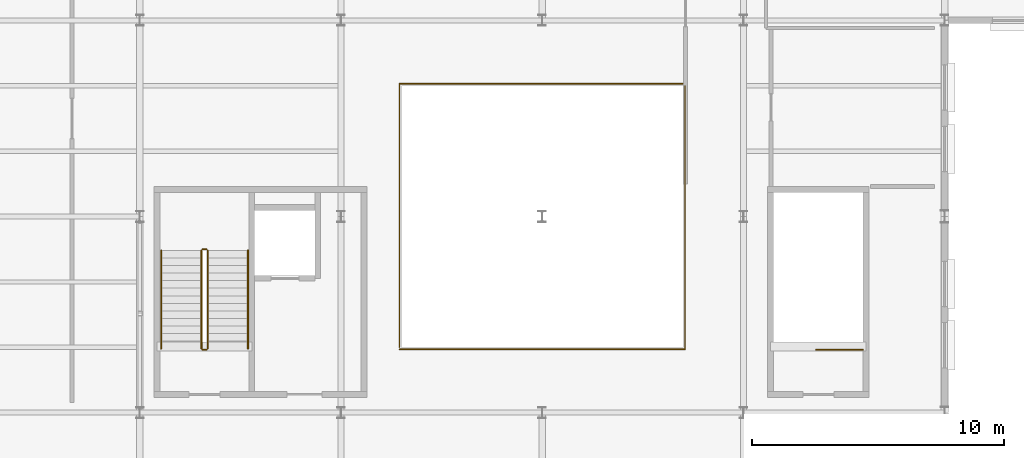
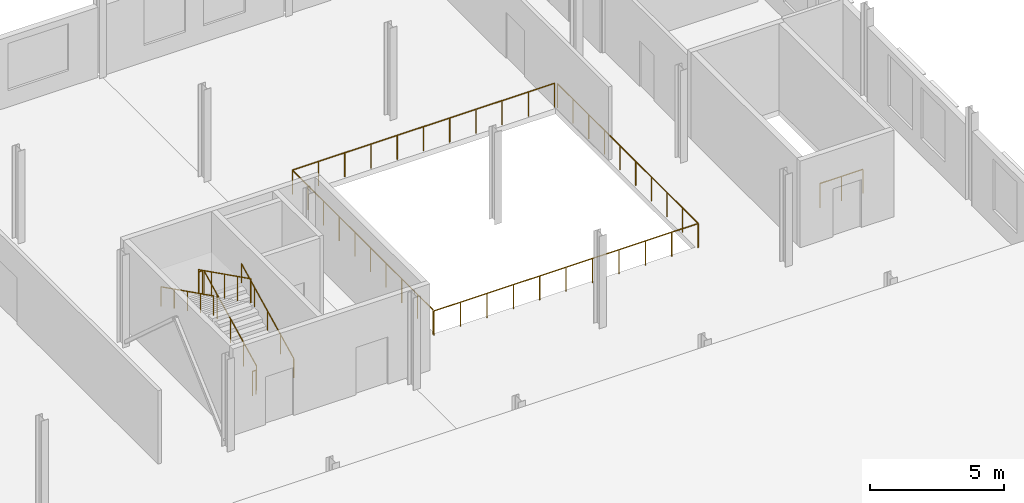
# One storey, part 43 of 45: 9 railings.
"""IFC4 building model written with IfcOpenShell, lengths in metres."""

from ifc_helpers import new_model, si_unit, direction, frame, origin, origin_2d, place, context, subcontext, project, spatial, circle, extrude, material, layer, layer_set, type_object, element, save


model = new_model("IFC4")

# Units and contexts
model_context = context("Model", 3, precision=1e-05, world=origin(), true_north=direction((0.0, 1.0)))
body_context = subcontext(model_context, "Body", "Model", "MODEL_VIEW")
ifc_project = project(units=[si_unit("LENGTHUNIT", "METRE"), si_unit("AREAUNIT", "SQUARE_METRE"), si_unit("VOLUMEUNIT", "CUBIC_METRE"), si_unit("PLANEANGLEUNIT", "RADIAN"), si_unit("MASSUNIT", "GRAM", prefix="KILO")], contexts=[model_context])

# Site, building, storey
site_placement = place(None, origin())
site = spatial("IfcSite", under=ifc_project, at=site_placement, CompositionType="ELEMENT")
building_placement = place(site_placement, origin())
building = spatial("IfcBuilding", under=site, at=building_placement, Name="Yukiwa Park Conservatory and Herbarium", CompositionType="ELEMENT")
storey_placement = place(building_placement, frame((0.0, 0.0, 9.0)))
storey = spatial("IfcBuildingStorey", under=building, at=storey_placement, Name="L02", CompositionType="ELEMENT", Elevation=9.0)

# Railings
ifc_material_1 = material(Name="Steel Q235B", Category="steel")
ifc_layer_1 = layer(ifc_material_1, 0.050048828125)
ifc_layer_set_1 = layer_set([ifc_layer_1], Name="Steel Q235B")
railing_type_1 = type_object("IfcRailingType", Name="RL-STAIR-GUARD-1120", PredefinedType="BALUSTRADE", material=ifc_layer_set_1)
railing_1_placement = place(storey_placement, frame((78.699951171875, 57.14990234375, 0.14990234375)))
element("IfcRailing", 1, at=railing_1_placement, inside=storey, type_object=railing_type_1, Name="L02 ST-V1 stair guard 1", PredefinedType="BALUSTRADE", context=body_context, shape_type="SweptSolid", body=[
    extrude(circle(Radius=0.02392578125, at=origin_2d()), frame((0.0, 0.0, 1.09619140625), z_axis=(0.0, 0.894415993023, 0.447235990752), x_axis=(-1.0, 0.0, 0.0)), (0.0, 0.0, 1.0), 4.360595703125),
    extrude(circle(Radius=0.02099609375, at=origin_2d()), origin(), (0.0, 0.0, 1.0), 1.072021484375),
    extrude(circle(Radius=0.02099609375, at=origin_2d()), frame((0.0, 0.97509765625, 0.487548828125)), (0.0, 0.0, 1.0), 1.072021484375),
    extrude(circle(Radius=0.02099609375, at=origin_2d()), frame((0.0, 1.9501953125, 0.97509765625)), (0.0, 0.0, 1.0), 1.072021484375),
    extrude(circle(Radius=0.02099609375, at=origin_2d()), frame((0.0, 2.925048828125, 1.462646484375)), (0.0, 0.0, 1.0), 1.072021484375),
    extrude(circle(Radius=0.02099609375, at=origin_2d()), frame((0.0, 3.900146484375, 1.9501953125)), (0.0, 0.0, 1.0), 1.072021484375),
])
railing_2_placement = place(storey_placement, frame((78.64990234375, 61.10009765625, 2.10009765625)))
element("IfcRailing", 2, at=railing_2_placement, inside=storey, type_object=railing_type_1, Name="L02 ST-V1 stair guard 2", PredefinedType="BALUSTRADE", context=body_context, shape_type="SweptSolid", body=[
    extrude(circle(Radius=0.02392578125, at=origin_2d()), frame((0.0, 0.0, 1.09619140625), z_axis=(-1.0, 0.0, 0.0), x_axis=(0.0, -1.0, 0.0)), (0.0, 0.0, 1.0), 0.14990234375),
    extrude(circle(Radius=0.02099609375, at=origin_2d()), origin(), (0.0, 0.0, 1.0), 1.072021484375),
    extrude(circle(Radius=0.02099609375, at=origin_2d()), frame((-0.14990234375, 0.0, 0.0)), (0.0, 0.0, 1.0), 1.072021484375),
])
railing_3_placement = place(storey_placement, frame((78.449951171875, 61.050048828125, 2.25)))
element("IfcRailing", 3, at=railing_3_placement, inside=storey, type_object=railing_type_1, Name="L02 ST-V1 stair guard 3", PredefinedType="BALUSTRADE", context=body_context, shape_type="SweptSolid", body=[
    extrude(circle(Radius=0.02392578125, at=origin_2d()), frame((0.0, 0.0, 1.09619140625), z_axis=(0.0, -0.894438388696, 0.447191199406), x_axis=(1.0, 0.0, 0.0)), (0.0, 0.0, 1.0), 4.3603515625),
    extrude(circle(Radius=0.02099609375, at=origin_2d()), origin(), (0.0, 0.0, 1.0), 1.072021484375),
    extrude(circle(Radius=0.02099609375, at=origin_2d()), frame((0.0, -0.97509765625, 0.487548828125)), (0.0, 0.0, 1.0), 1.072021484375),
    extrude(circle(Radius=0.02099609375, at=origin_2d()), frame((0.0, -1.9501953125, 0.97509765625)), (0.0, 0.0, 1.0), 1.072021484375),
    extrude(circle(Radius=0.02099609375, at=origin_2d()), frame((0.0, -2.925048828125, 1.46240234375)), (0.0, 0.0, 1.0), 1.072021484375),
    extrude(circle(Radius=0.02099609375, at=origin_2d()), frame((0.0, -3.900146484375, 1.949951171875)), (0.0, 0.0, 1.0), 1.072021484375),
])
railing_4_placement = place(storey_placement, frame((78.64990234375, 57.10009765625, 0.0)))
element("IfcRailing", 4, at=railing_4_placement, inside=storey, type_object=railing_type_1, Name="L02 ST-V1 stair guard 4", PredefinedType="BALUSTRADE", context=body_context, shape_type="SweptSolid", body=[
    extrude(circle(Radius=0.02392578125, at=origin_2d()), frame((0.0, 0.0, 1.09619140625), z_axis=(-1.0, 0.0, 0.0), x_axis=(0.0, -1.0, 0.0)), (0.0, 0.0, 1.0), 0.14990234375),
    extrude(circle(Radius=0.02099609375, at=origin_2d()), origin(), (0.0, 0.0, 1.0), 1.072021484375),
    extrude(circle(Radius=0.02099609375, at=origin_2d()), frame((-0.14990234375, 0.0, 0.0)), (0.0, 0.0, 1.0), 1.072021484375),
])
railing_5_placement = place(storey_placement, frame((104.75, 57.10009765625, 0.0)))
element("IfcRailing", 5, at=railing_5_placement, inside=storey, type_object=railing_type_1, Name="L02 ST-V2 top well guard 1", PredefinedType="BALUSTRADE", context=body_context, shape_type="SweptSolid", body=[
    extrude(circle(Radius=0.02392578125, at=origin_2d()), frame((0.0, 0.0, 1.09619140625), z_axis=(-1.0, 0.0, 0.0), x_axis=(0.0, -1.0, 0.0)), (0.0, 0.0, 1.0), 1.85009765625),
    extrude(circle(Radius=0.02099609375, at=origin_2d()), origin(), (0.0, 0.0, 1.0), 1.072021484375),
    extrude(circle(Radius=0.02099609375, at=origin_2d()), frame((-0.925048828125, 0.0, 0.0)), (0.0, 0.0, 1.0), 1.072021484375),
    extrude(circle(Radius=0.02099609375, at=origin_2d()), frame((-1.85009765625, 0.0, 0.0)), (0.0, 0.0, 1.0), 1.072021484375),
])
ifc_material_2 = material(Name="Steel Q235B", Category="steel")
ifc_layer_2 = layer(ifc_material_2, 0.044921875)
ifc_layer_set_2 = layer_set([ifc_layer_2], Name="Steel Q235B")
railing_type_2 = type_object("IfcRailingType", Name="RL-STAIR-RAIL-900", PredefinedType="HANDRAIL", material=ifc_layer_set_2)
railing_6_placement = place(storey_placement, frame((80.300048828125, 57.14990234375, 0.14990234375)))
element("IfcRailing", 6, at=railing_6_placement, inside=storey, type_object=railing_type_2, Name="L02 ST-V1 stair handrail 1", PredefinedType="HANDRAIL", context=body_context, shape_type="SweptSolid", body=[
    extrude(circle(Radius=0.02392578125, at=origin_2d()), frame((0.0, 0.0, 0.8759765625), z_axis=(0.0, 0.894415993023, 0.447235990752), x_axis=(-1.0, 0.0, 0.0)), (0.0, 0.0, 1.0), 4.360595703125),
    extrude(circle(Radius=0.02099609375, at=origin_2d()), origin(), (0.0, 0.0, 1.0), 0.851806640625),
    extrude(circle(Radius=0.02099609375, at=origin_2d()), frame((0.0, 0.97509765625, 0.487548828125)), (0.0, 0.0, 1.0), 0.851806640625),
    extrude(circle(Radius=0.02099609375, at=origin_2d()), frame((0.0, 1.9501953125, 0.97509765625)), (0.0, 0.0, 1.0), 0.851806640625),
    extrude(circle(Radius=0.02099609375, at=origin_2d()), frame((0.0, 2.925048828125, 1.462646484375)), (0.0, 0.0, 1.0), 0.851806640625),
    extrude(circle(Radius=0.02099609375, at=origin_2d()), frame((0.0, 3.900146484375, 1.9501953125)), (0.0, 0.0, 1.0), 0.851806640625),
])
railing_7_placement = place(storey_placement, frame((76.85009765625, 61.050048828125, 2.25)))
element("IfcRailing", 7, at=railing_7_placement, inside=storey, type_object=railing_type_2, Name="L02 ST-V1 stair handrail 2", PredefinedType="HANDRAIL", context=body_context, shape_type="SweptSolid", body=[
    extrude(circle(Radius=0.02392578125, at=origin_2d()), frame((0.0, 0.0, 0.8759765625), z_axis=(0.0, -0.894438388696, 0.447191199406), x_axis=(1.0, 0.0, 0.0)), (0.0, 0.0, 1.0), 4.3603515625),
    extrude(circle(Radius=0.02099609375, at=origin_2d()), origin(), (0.0, 0.0, 1.0), 0.851806640625),
    extrude(circle(Radius=0.02099609375, at=origin_2d()), frame((0.0, -0.97509765625, 0.487548828125)), (0.0, 0.0, 1.0), 0.851806640625),
    extrude(circle(Radius=0.02099609375, at=origin_2d()), frame((0.0, -1.9501953125, 0.97509765625)), (0.0, 0.0, 1.0), 0.851806640625),
    extrude(circle(Radius=0.02099609375, at=origin_2d()), frame((0.0, -2.925048828125, 1.46240234375)), (0.0, 0.0, 1.0), 0.851806640625),
    extrude(circle(Radius=0.02099609375, at=origin_2d()), frame((0.0, -3.900146484375, 1.949951171875)), (0.0, 0.0, 1.0), 0.851806640625),
])
ifc_material_3 = material(Name="Laminated Tempered Safety Glass", Category="glass")
ifc_layer_3 = layer(ifc_material_3, 0.06005859375)
ifc_layer_set_3 = layer_set([ifc_layer_3], Name="Laminated Tempered Safety Glass")
railing_type_3 = type_object("IfcRailingType", Name="RL-VOID-GUARD-1120", PredefinedType="BALUSTRADE", material=ifc_layer_set_3)
railing_8_placement = place(storey_placement, frame((86.320068359375, 57.1201171875, 0.0)))
element("IfcRailing", 8, at=railing_8_placement, inside=storey, type_object=railing_type_3, Name="L02 interior atrium and mezzanine balustrade RL-INT-L02-V3VOID-A", PredefinedType="BALUSTRADE", context=body_context, shape_type="SweptSolid", body=[
    extrude(circle(Radius=0.02392578125, at=origin_2d()), frame((0.0, 0.0, 1.09619140625), z_axis=(1.0, 0.0, 0.0), x_axis=(0.0, 1.0, 0.0)), (0.0, 0.0, 1.0), 11.35986328125),
    extrude(circle(Radius=0.02392578125, at=origin_2d()), frame((11.35986328125, 0.0, 1.09619140625), z_axis=(0.0, 1.0, 0.0), x_axis=(-1.0, 0.0, 0.0)), (0.0, 0.0, 1.0), 10.47998046875),
    extrude(circle(Radius=0.02099609375, at=origin_2d()), origin(), (0.0, 0.0, 1.0), 1.072021484375),
    extrude(circle(Radius=0.02099609375, at=origin_2d()), frame((1.135986328125, 0.0, 0.0)), (0.0, 0.0, 1.0), 1.072021484375),
    extrude(circle(Radius=0.02099609375, at=origin_2d()), frame((2.27197265625, 0.0, 0.0)), (0.0, 0.0, 1.0), 1.072021484375),
    extrude(circle(Radius=0.02099609375, at=origin_2d()), frame((3.407958984375, 0.0, 0.0)), (0.0, 0.0, 1.0), 1.072021484375),
    extrude(circle(Radius=0.02099609375, at=origin_2d()), frame((4.5439453125, 0.0, 0.0)), (0.0, 0.0, 1.0), 1.072021484375),
    extrude(circle(Radius=0.02099609375, at=origin_2d()), frame((5.679931640625, 0.0, 0.0)), (0.0, 0.0, 1.0), 1.072021484375),
    extrude(circle(Radius=0.02099609375, at=origin_2d()), frame((6.81591796875, 0.0, 0.0)), (0.0, 0.0, 1.0), 1.072021484375),
    extrude(circle(Radius=0.02099609375, at=origin_2d()), frame((7.951904296875, 0.0, 0.0)), (0.0, 0.0, 1.0), 1.072021484375),
    extrude(circle(Radius=0.02099609375, at=origin_2d()), frame((9.087890625, 0.0, 0.0)), (0.0, 0.0, 1.0), 1.072021484375),
    extrude(circle(Radius=0.02099609375, at=origin_2d()), frame((10.223876953125, 0.0, 0.0)), (0.0, 0.0, 1.0), 1.072021484375),
    extrude(circle(Radius=0.02099609375, at=origin_2d()), frame((11.35986328125, 0.0, 0.0)), (0.0, 0.0, 1.0), 1.072021484375),
    extrude(circle(Radius=0.02099609375, at=origin_2d()), frame((11.35986328125, 1.16455078125, 0.0)), (0.0, 0.0, 1.0), 1.072021484375),
    extrude(circle(Radius=0.02099609375, at=origin_2d()), frame((11.35986328125, 2.328857421875, 0.0)), (0.0, 0.0, 1.0), 1.072021484375),
    extrude(circle(Radius=0.02099609375, at=origin_2d()), frame((11.35986328125, 3.493408203125, 0.0)), (0.0, 0.0, 1.0), 1.072021484375),
    extrude(circle(Radius=0.02099609375, at=origin_2d()), frame((11.35986328125, 4.65771484375, 0.0)), (0.0, 0.0, 1.0), 1.072021484375),
    extrude(circle(Radius=0.02099609375, at=origin_2d()), frame((11.35986328125, 5.822265625, 0.0)), (0.0, 0.0, 1.0), 1.072021484375),
    extrude(circle(Radius=0.02099609375, at=origin_2d()), frame((11.35986328125, 6.986572265625, 0.0)), (0.0, 0.0, 1.0), 1.072021484375),
    extrude(circle(Radius=0.02099609375, at=origin_2d()), frame((11.35986328125, 8.151123046875, 0.0)), (0.0, 0.0, 1.0), 1.072021484375),
    extrude(circle(Radius=0.02099609375, at=origin_2d()), frame((11.35986328125, 9.3154296875, 0.0)), (0.0, 0.0, 1.0), 1.072021484375),
    extrude(circle(Radius=0.02099609375, at=origin_2d()), frame((11.35986328125, 10.47998046875, 0.0)), (0.0, 0.0, 1.0), 1.072021484375),
])
railing_9_placement = place(storey_placement, frame((97.60009765625, 67.679931640625, 0.0)))
element("IfcRailing", 9, at=railing_9_placement, inside=storey, type_object=railing_type_3, Name="L02 interior atrium and mezzanine balustrade RL-INT-L02-V3VOID-B", PredefinedType="BALUSTRADE", context=body_context, shape_type="SweptSolid", body=[
    extrude(circle(Radius=0.02392578125, at=origin_2d()), frame((0.0, 0.0, 1.09619140625), z_axis=(-1.0, 0.0, 0.0), x_axis=(0.0, -1.0, 0.0)), (0.0, 0.0, 1.0), 11.280029296875),
    extrude(circle(Radius=0.02392578125, at=origin_2d()), frame((-11.280029296875, 0.0, 1.09619140625), z_axis=(0.0, -1.0, 0.0), x_axis=(1.0, 0.0, 0.0)), (0.0, 0.0, 1.0), 10.47998046875),
    extrude(circle(Radius=0.02099609375, at=origin_2d()), origin(), (0.0, 0.0, 1.0), 1.072021484375),
    extrude(circle(Radius=0.02099609375, at=origin_2d()), frame((-1.1279296875, 0.0, 0.0)), (0.0, 0.0, 1.0), 1.072021484375),
    extrude(circle(Radius=0.02099609375, at=origin_2d()), frame((-2.256103515625, 0.0, 0.0)), (0.0, 0.0, 1.0), 1.072021484375),
    extrude(circle(Radius=0.02099609375, at=origin_2d()), frame((-3.384033203125, 0.0, 0.0)), (0.0, 0.0, 1.0), 1.072021484375),
    extrude(circle(Radius=0.02099609375, at=origin_2d()), frame((-4.511962890625, 0.0, 0.0)), (0.0, 0.0, 1.0), 1.072021484375),
    extrude(circle(Radius=0.02099609375, at=origin_2d()), frame((-5.64013671875, 0.0, 0.0)), (0.0, 0.0, 1.0), 1.072021484375),
    extrude(circle(Radius=0.02099609375, at=origin_2d()), frame((-6.76806640625, 0.0, 0.0)), (0.0, 0.0, 1.0), 1.072021484375),
    extrude(circle(Radius=0.02099609375, at=origin_2d()), frame((-7.89599609375, 0.0, 0.0)), (0.0, 0.0, 1.0), 1.072021484375),
    extrude(circle(Radius=0.02099609375, at=origin_2d()), frame((-9.02392578125, 0.0, 0.0)), (0.0, 0.0, 1.0), 1.072021484375),
    extrude(circle(Radius=0.02099609375, at=origin_2d()), frame((-10.152099609375, 0.0, 0.0)), (0.0, 0.0, 1.0), 1.072021484375),
    extrude(circle(Radius=0.02099609375, at=origin_2d()), frame((-11.280029296875, 0.0, 0.0)), (0.0, 0.0, 1.0), 1.072021484375),
    extrude(circle(Radius=0.02099609375, at=origin_2d()), frame((-11.280029296875, -1.16455078125, 0.0)), (0.0, 0.0, 1.0), 1.072021484375),
    extrude(circle(Radius=0.02099609375, at=origin_2d()), frame((-11.280029296875, -2.328857421875, 0.0)), (0.0, 0.0, 1.0), 1.072021484375),
    extrude(circle(Radius=0.02099609375, at=origin_2d()), frame((-11.280029296875, -3.493408203125, 0.0)), (0.0, 0.0, 1.0), 1.072021484375),
    extrude(circle(Radius=0.02099609375, at=origin_2d()), frame((-11.280029296875, -4.65771484375, 0.0)), (0.0, 0.0, 1.0), 1.072021484375),
    extrude(circle(Radius=0.02099609375, at=origin_2d()), frame((-11.280029296875, -5.822265625, 0.0)), (0.0, 0.0, 1.0), 1.072021484375),
    extrude(circle(Radius=0.02099609375, at=origin_2d()), frame((-11.280029296875, -6.986572265625, 0.0)), (0.0, 0.0, 1.0), 1.072021484375),
    extrude(circle(Radius=0.02099609375, at=origin_2d()), frame((-11.280029296875, -8.151123046875, 0.0)), (0.0, 0.0, 1.0), 1.072021484375),
    extrude(circle(Radius=0.02099609375, at=origin_2d()), frame((-11.280029296875, -9.3154296875, 0.0)), (0.0, 0.0, 1.0), 1.072021484375),
    extrude(circle(Radius=0.02099609375, at=origin_2d()), frame((-11.280029296875, -10.47998046875, 0.0)), (0.0, 0.0, 1.0), 1.072021484375),
])

save(model, "model.ifc")
